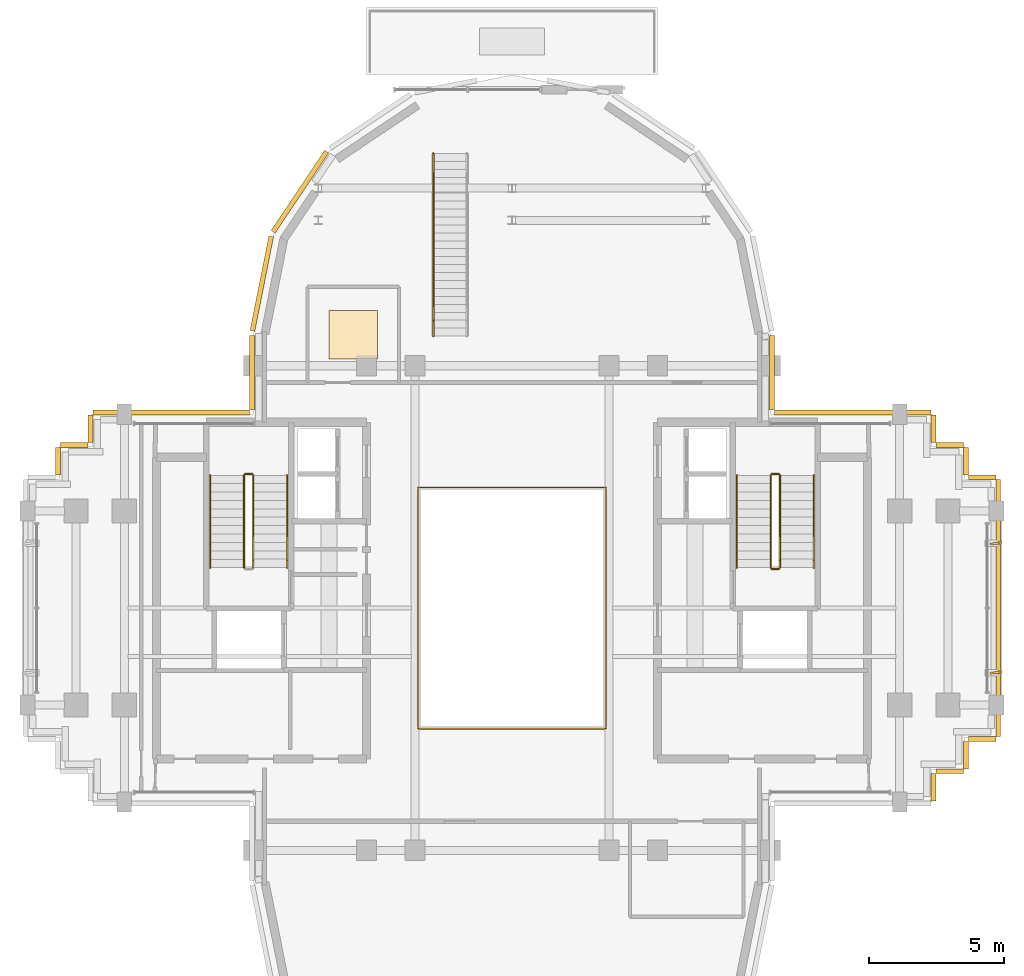
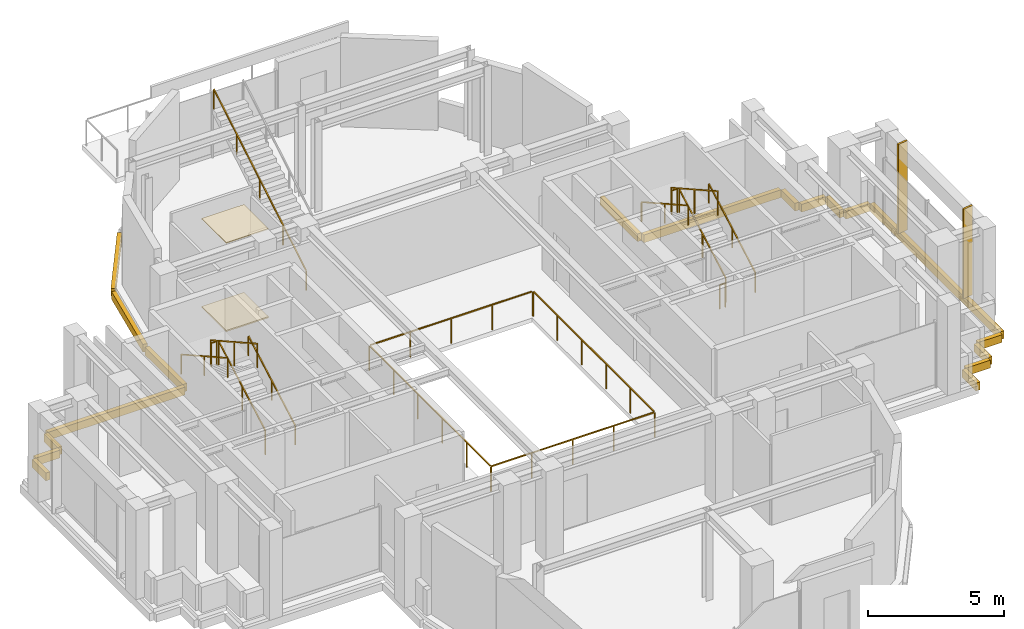
# One storey, part 12 of 14: 20 coverings, 13 railings, 2 shading devices.
"""IFC4 building model written with IfcOpenShell, lengths in metres."""

from ifc_helpers import new_model, si_unit, direction, frame, origin, origin_2d, place, context, subcontext, project, spatial, rectangle, extrude, source, transform, mapped, material, layer, layer_set, type_object, element, save


model = new_model("IFC4")

# Units and contexts
model_context = context("Model", 3, precision=1e-05, world=origin(), true_north=direction((0.0, 1.0)))
body_context = subcontext(model_context, "Body", "Model", "MODEL_VIEW")
ifc_project = project(units=[si_unit("LENGTHUNIT", "METRE"), si_unit("AREAUNIT", "SQUARE_METRE"), si_unit("VOLUMEUNIT", "CUBIC_METRE"), si_unit("PLANEANGLEUNIT", "RADIAN"), si_unit("MASSUNIT", "GRAM", prefix="KILO")], contexts=[model_context])

# Site, building, storey
site_placement = place(None, origin())
site = spatial("IfcSite", under=ifc_project, at=site_placement, CompositionType="ELEMENT")
building_placement = place(site_placement, origin())
building = spatial("IfcBuilding", under=site, at=building_placement, Name="Keilestroom Media Tower", CompositionType="ELEMENT")
storey_placement = place(building_placement, frame((0.0, 0.0, 219.39990234375)))
storey = spatial("IfcBuildingStorey", under=building, at=storey_placement, Name="L60", CompositionType="ELEMENT", Elevation=219.39990234375)

# Railings
ifc_material_1 = material(Name="Laminated Safety Glass & Bronze Steel", Category="steel")
railing_type_1 = type_object("IfcRailingType", Name="Atrium-Void-Guard-Balustrade-1150", PredefinedType="BALUSTRADE", material=ifc_material_1)
railing_1_placement = place(storey_placement, frame((-3.47998046875, -4.47998046875, 0.0)))
element("IfcRailing", 1, at=railing_1_placement, inside=storey, type_object=railing_type_1, Name="L60 Central Atrium Void Balustrade", PredefinedType="BALUSTRADE", context=body_context, shape_type="SweptSolid", body=[
    extrude(rectangle(XDim=0.048095703125, YDim=0.048095703125, at=origin_2d()), frame((0.0, 0.0, 1.1259765625), z_axis=(1.0, 0.0, 0.0), x_axis=(0.0, 1.0, 0.0)), (0.0, 0.0, 1.0), 6.911865234375),
    extrude(rectangle(XDim=0.048095703125, YDim=0.048095703125, at=origin_2d()), frame((6.9599609375, 0.048095703125, 1.1259765625), z_axis=(0.0, 1.0, 0.0), x_axis=(-1.0, 0.0, 0.0)), (0.0, 0.0, 1.0), 8.86376953125),
    extrude(rectangle(XDim=0.048095703125, YDim=0.048095703125, at=origin_2d()), frame((6.911865234375, 8.9599609375, 1.1259765625), z_axis=(-1.0, 0.0, 0.0), x_axis=(0.0, -1.0, 0.0)), (0.0, 0.0, 1.0), 6.86376953125),
    extrude(rectangle(XDim=0.048095703125, YDim=0.048095703125, at=origin_2d()), frame((0.0, 8.911865234375, 1.1259765625), z_axis=(0.0, -1.0, 0.0), x_axis=(1.0, 0.0, 0.0)), (0.0, 0.0, 1.0), 8.86376953125),
    extrude(rectangle(XDim=0.0419921875, YDim=0.0419921875, at=origin_2d()), origin(), (0.0, 0.0, 1.0), 1.09375),
    extrude(rectangle(XDim=0.0419921875, YDim=0.0419921875, at=origin_2d()), frame((1.739990234375, 0.0, 0.0)), (0.0, 0.0, 1.0), 1.09375),
    extrude(rectangle(XDim=0.0419921875, YDim=0.0419921875, at=origin_2d()), frame((3.47998046875, 0.0, 0.0)), (0.0, 0.0, 1.0), 1.09375),
    extrude(rectangle(XDim=0.0419921875, YDim=0.0419921875, at=origin_2d()), frame((5.219970703125, 0.0, 0.0)), (0.0, 0.0, 1.0), 1.09375),
    extrude(rectangle(XDim=0.0419921875, YDim=0.0419921875, at=origin_2d()), frame((6.9599609375, 0.0, 0.0)), (0.0, 0.0, 1.0), 1.09375),
    extrude(rectangle(XDim=0.0419921875, YDim=0.0419921875, at=origin_2d()), frame((6.9599609375, 1.7919921875, 0.0)), (0.0, 0.0, 1.0), 1.09375),
    extrude(rectangle(XDim=0.0419921875, YDim=0.0419921875, at=origin_2d()), frame((6.9599609375, 3.583984375, 0.0)), (0.0, 0.0, 1.0), 1.09375),
    extrude(rectangle(XDim=0.0419921875, YDim=0.0419921875, at=origin_2d()), frame((6.9599609375, 5.3759765625, 0.0)), (0.0, 0.0, 1.0), 1.09375),
    extrude(rectangle(XDim=0.0419921875, YDim=0.0419921875, at=origin_2d()), frame((6.9599609375, 7.16796875, 0.0)), (0.0, 0.0, 1.0), 1.09375),
    extrude(rectangle(XDim=0.0419921875, YDim=0.0419921875, at=origin_2d()), frame((6.9599609375, 8.9599609375, 0.0)), (0.0, 0.0, 1.0), 1.09375),
    extrude(rectangle(XDim=0.0419921875, YDim=0.0419921875, at=origin_2d()), frame((5.219970703125, 8.9599609375, 0.0)), (0.0, 0.0, 1.0), 1.09375),
    extrude(rectangle(XDim=0.0419921875, YDim=0.0419921875, at=origin_2d()), frame((3.47998046875, 8.9599609375, 0.0)), (0.0, 0.0, 1.0), 1.09375),
    extrude(rectangle(XDim=0.0419921875, YDim=0.0419921875, at=origin_2d()), frame((1.739990234375, 8.9599609375, 0.0)), (0.0, 0.0, 1.0), 1.09375),
    extrude(rectangle(XDim=0.0419921875, YDim=0.0419921875, at=origin_2d()), frame((0.0, 8.9599609375, 0.0)), (0.0, 0.0, 1.0), 1.09375),
    extrude(rectangle(XDim=0.0419921875, YDim=0.0419921875, at=origin_2d()), frame((0.0, 7.16796875, 0.0)), (0.0, 0.0, 1.0), 1.09375),
    extrude(rectangle(XDim=0.0419921875, YDim=0.0419921875, at=origin_2d()), frame((0.0, 5.3759765625, 0.0)), (0.0, 0.0, 1.0), 1.09375),
    extrude(rectangle(XDim=0.0419921875, YDim=0.0419921875, at=origin_2d()), frame((0.0, 3.583984375, 0.0)), (0.0, 0.0, 1.0), 1.09375),
    extrude(rectangle(XDim=0.0419921875, YDim=0.0419921875, at=origin_2d()), frame((0.0, 1.7919921875, 0.0)), (0.0, 0.0, 1.0), 1.09375),
])
ifc_material_2 = material(Name="Brushed Stainless Steel 1.4301", Category="steel")
railing_type_2 = type_object("IfcRailingType", Name="Stair-Pitch-Handrail-920", PredefinedType="HANDRAIL", material=ifc_material_2)
railing_2_placement = place(storey_placement, frame((-8.35009765625, 1.5, 0.175048828125)))
element("IfcRailing", 2, at=railing_2_placement, inside=storey, type_object=railing_type_2, Name="L60 ST-1 stair handrail 1", PredefinedType="HANDRAIL", context=body_context, shape_type="SweptSolid", body=[
    extrude(rectangle(XDim=0.048095703125, YDim=0.048095703125, at=origin_2d()), frame((0.0, 0.0, 0.8759765625), z_axis=(0.0, 0.872159829118, 0.489221046638), x_axis=(-1.0, 0.0, 0.0)), (0.0, 0.0, 1.0), 3.934814453125),
    extrude(rectangle(XDim=0.0419921875, YDim=0.0419921875, at=origin_2d()), origin(), (0.0, 0.0, 1.0), 0.84375),
    extrude(rectangle(XDim=0.0419921875, YDim=0.0419921875, at=origin_2d()), frame((0.0, 1.7158203125, 0.96240234375)), (0.0, 0.0, 1.0), 0.84375),
    extrude(rectangle(XDim=0.0419921875, YDim=0.0419921875, at=origin_2d()), frame((0.0, 3.431884765625, 1.925048828125)), (0.0, 0.0, 1.0), 0.84375),
])
railing_3_placement = place(storey_placement, frame((-11.2099609375, 4.931884765625, 2.275146484375)))
element("IfcRailing", 3, at=railing_3_placement, inside=storey, type_object=railing_type_2, Name="L60 ST-1 stair handrail 2", PredefinedType="HANDRAIL", context=body_context, shape_type="SweptSolid", body=[
    extrude(rectangle(XDim=0.048095703125, YDim=0.048095703125, at=origin_2d()), frame((0.0, 0.0, 0.8759765625), z_axis=(0.0, -0.872159829118, 0.489221046638), x_axis=(1.0, 0.0, 0.0)), (0.0, 0.0, 1.0), 3.934814453125),
    extrude(rectangle(XDim=0.0419921875, YDim=0.0419921875, at=origin_2d()), origin(), (0.0, 0.0, 1.0), 0.84375),
    extrude(rectangle(XDim=0.0419921875, YDim=0.0419921875, at=origin_2d()), frame((0.0, -1.7158203125, 0.96240234375)), (0.0, 0.0, 1.0), 0.84375),
    extrude(rectangle(XDim=0.0419921875, YDim=0.0419921875, at=origin_2d()), frame((0.0, -3.431884765625, 1.925048828125)), (0.0, 0.0, 1.0), 0.84375),
])
railing_4_placement = place(storey_placement, frame((11.2099609375, 1.5, 0.175048828125)))
element("IfcRailing", 4, at=railing_4_placement, inside=storey, type_object=railing_type_2, Name="L60 ST-2 stair handrail 1", PredefinedType="HANDRAIL", context=body_context, shape_type="SweptSolid", body=[
    extrude(rectangle(XDim=0.048095703125, YDim=0.048095703125, at=origin_2d()), frame((0.0, 0.0, 0.8759765625), z_axis=(0.0, 0.872159829118, 0.489221046638), x_axis=(-1.0, 0.0, 0.0)), (0.0, 0.0, 1.0), 3.934814453125),
    extrude(rectangle(XDim=0.0419921875, YDim=0.0419921875, at=origin_2d()), origin(), (0.0, 0.0, 1.0), 0.84375),
    extrude(rectangle(XDim=0.0419921875, YDim=0.0419921875, at=origin_2d()), frame((0.0, 1.7158203125, 0.96240234375)), (0.0, 0.0, 1.0), 0.84375),
    extrude(rectangle(XDim=0.0419921875, YDim=0.0419921875, at=origin_2d()), frame((0.0, 3.431884765625, 1.925048828125)), (0.0, 0.0, 1.0), 0.84375),
])
railing_5_placement = place(storey_placement, frame((8.35009765625, 4.931884765625, 2.275146484375)))
element("IfcRailing", 5, at=railing_5_placement, inside=storey, type_object=railing_type_2, Name="L60 ST-2 stair handrail 2", PredefinedType="HANDRAIL", context=body_context, shape_type="SweptSolid", body=[
    extrude(rectangle(XDim=0.048095703125, YDim=0.048095703125, at=origin_2d()), frame((0.0, 0.0, 0.8759765625), z_axis=(0.0, -0.872159829118, 0.489221046638), x_axis=(1.0, 0.0, 0.0)), (0.0, 0.0, 1.0), 3.934814453125),
    extrude(rectangle(XDim=0.0419921875, YDim=0.0419921875, at=origin_2d()), origin(), (0.0, 0.0, 1.0), 0.84375),
    extrude(rectangle(XDim=0.0419921875, YDim=0.0419921875, at=origin_2d()), frame((0.0, -1.7158203125, 0.96240234375)), (0.0, 0.0, 1.0), 0.84375),
    extrude(rectangle(XDim=0.0419921875, YDim=0.0419921875, at=origin_2d()), frame((0.0, -3.431884765625, 1.925048828125)), (0.0, 0.0, 1.0), 0.84375),
])
railing_6_placement = place(storey_placement, frame((-2.919921875, 10.10009765625, 0.0)))
element("IfcRailing", 6, at=railing_6_placement, inside=storey, type_object=railing_type_2, Name="ST-F1 Handrail L", PredefinedType="HANDRAIL", context=body_context, shape_type="SweptSolid", body=[
    extrude(rectangle(XDim=0.048095703125, YDim=0.048095703125, at=origin_2d()), frame((0.0, 0.0, 0.89599609375), z_axis=(0.0, 0.860043605927, 0.510220536537), x_axis=(-1.0, 0.0, 0.0)), (0.0, 0.0, 1.0), 7.888916015625),
    extrude(rectangle(XDim=0.0419921875, YDim=0.0419921875, at=origin_2d()), origin(), (0.0, 0.0, 1.0), 0.86376953125),
    extrude(rectangle(XDim=0.0419921875, YDim=0.0419921875, at=origin_2d()), frame((0.0, 1.6962890625, 1.00634765625)), (0.0, 0.0, 1.0), 0.86376953125),
    extrude(rectangle(XDim=0.0419921875, YDim=0.0419921875, at=origin_2d()), frame((0.0, 3.392578125, 2.0126953125)), (0.0, 0.0, 1.0), 0.86376953125),
    extrude(rectangle(XDim=0.0419921875, YDim=0.0419921875, at=origin_2d()), frame((0.0, 5.088623046875, 3.018798828125)), (0.0, 0.0, 1.0), 0.86376953125),
    extrude(rectangle(XDim=0.0419921875, YDim=0.0419921875, at=origin_2d()), frame((0.0, 6.784912109375, 4.025146484375)), (0.0, 0.0, 1.0), 0.86376953125),
])
ifc_material_3 = material(Name="Painted Steel Balustrade", Category="steel")
railing_type_3 = type_object("IfcRailingType", Name="Stair-Well-And-Landing-Guard-1100", PredefinedType="GUARDRAIL", material=ifc_material_3)
railing_7_placement = place(storey_placement, frame((-9.610107421875, 1.5, 0.175048828125)))
element("IfcRailing", 7, at=railing_7_placement, inside=storey, type_object=railing_type_3, Name="L60 ST-1 stair guard 1", PredefinedType="GUARDRAIL", context=body_context, shape_type="SweptSolid", body=[
    extrude(rectangle(XDim=0.048095703125, YDim=0.048095703125, at=origin_2d()), frame((0.0, 0.0, 1.076171875), z_axis=(0.0, 0.872159829118, 0.489221046638), x_axis=(-1.0, 0.0, 0.0)), (0.0, 0.0, 1.0), 3.934814453125),
    extrude(rectangle(XDim=0.0419921875, YDim=0.0419921875, at=origin_2d()), origin(), (0.0, 0.0, 1.0), 1.0439453125),
    extrude(rectangle(XDim=0.0419921875, YDim=0.0419921875, at=origin_2d()), frame((0.0, 1.7158203125, 0.96240234375)), (0.0, 0.0, 1.0), 1.0439453125),
    extrude(rectangle(XDim=0.0419921875, YDim=0.0419921875, at=origin_2d()), frame((0.0, 3.431884765625, 1.925048828125)), (0.0, 0.0, 1.0), 1.0439453125),
])
railing_8_placement = place(storey_placement, frame((-9.659912109375, 4.98193359375, 2.10009765625)))
element("IfcRailing", 8, at=railing_8_placement, inside=storey, type_object=railing_type_3, Name="L60 ST-1 stair guard 2", PredefinedType="GUARDRAIL", context=body_context, shape_type="SweptSolid", body=[
    extrude(rectangle(XDim=0.048095703125, YDim=0.048095703125, at=origin_2d()), frame((0.0, 0.0, 1.076171875), z_axis=(-1.0, 0.0, 0.0), x_axis=(0.0, -1.0, 0.0)), (0.0, 0.0, 1.0), 0.239990234375),
    extrude(rectangle(XDim=0.0419921875, YDim=0.0419921875, at=origin_2d()), origin(), (0.0, 0.0, 1.0), 1.0439453125),
    extrude(rectangle(XDim=0.0419921875, YDim=0.0419921875, at=origin_2d()), frame((-0.239990234375, 0.0, 0.0)), (0.0, 0.0, 1.0), 1.0439453125),
])
railing_9_placement = place(storey_placement, frame((-9.949951171875, 4.931884765625, 2.275146484375)))
element("IfcRailing", 9, at=railing_9_placement, inside=storey, type_object=railing_type_3, Name="L60 ST-1 stair guard 3", PredefinedType="GUARDRAIL", context=body_context, shape_type="SweptSolid", body=[
    extrude(rectangle(XDim=0.048095703125, YDim=0.048095703125, at=origin_2d()), frame((0.0, 0.0, 1.076171875), z_axis=(0.0, -0.872159829118, 0.489221046638), x_axis=(1.0, 0.0, 0.0)), (0.0, 0.0, 1.0), 3.934814453125),
    extrude(rectangle(XDim=0.0419921875, YDim=0.0419921875, at=origin_2d()), origin(), (0.0, 0.0, 1.0), 1.0439453125),
    extrude(rectangle(XDim=0.0419921875, YDim=0.0419921875, at=origin_2d()), frame((0.0, -1.7158203125, 0.96240234375)), (0.0, 0.0, 1.0), 1.0439453125),
    extrude(rectangle(XDim=0.0419921875, YDim=0.0419921875, at=origin_2d()), frame((0.0, -3.431884765625, 1.925048828125)), (0.0, 0.0, 1.0), 1.0439453125),
])
railing_10_placement = place(storey_placement, frame((9.949951171875, 1.5, 0.175048828125)))
element("IfcRailing", 10, at=railing_10_placement, inside=storey, type_object=railing_type_3, Name="L60 ST-2 stair guard 1", PredefinedType="GUARDRAIL", context=body_context, shape_type="SweptSolid", body=[
    extrude(rectangle(XDim=0.048095703125, YDim=0.048095703125, at=origin_2d()), frame((0.0, 0.0, 1.076171875), z_axis=(0.0, 0.872159829118, 0.489221046638), x_axis=(-1.0, 0.0, 0.0)), (0.0, 0.0, 1.0), 3.934814453125),
    extrude(rectangle(XDim=0.0419921875, YDim=0.0419921875, at=origin_2d()), origin(), (0.0, 0.0, 1.0), 1.0439453125),
    extrude(rectangle(XDim=0.0419921875, YDim=0.0419921875, at=origin_2d()), frame((0.0, 1.7158203125, 0.96240234375)), (0.0, 0.0, 1.0), 1.0439453125),
    extrude(rectangle(XDim=0.0419921875, YDim=0.0419921875, at=origin_2d()), frame((0.0, 3.431884765625, 1.925048828125)), (0.0, 0.0, 1.0), 1.0439453125),
])
railing_11_placement = place(storey_placement, frame((9.89990234375, 4.98193359375, 2.10009765625)))
element("IfcRailing", 11, at=railing_11_placement, inside=storey, type_object=railing_type_3, Name="L60 ST-2 stair guard 2", PredefinedType="GUARDRAIL", context=body_context, shape_type="SweptSolid", body=[
    extrude(rectangle(XDim=0.048095703125, YDim=0.048095703125, at=origin_2d()), frame((0.0, 0.0, 1.076171875), z_axis=(-1.0, 0.0, 0.0), x_axis=(0.0, -1.0, 0.0)), (0.0, 0.0, 1.0), 0.239990234375),
    extrude(rectangle(XDim=0.0419921875, YDim=0.0419921875, at=origin_2d()), origin(), (0.0, 0.0, 1.0), 1.0439453125),
    extrude(rectangle(XDim=0.0419921875, YDim=0.0419921875, at=origin_2d()), frame((-0.239990234375, 0.0, 0.0)), (0.0, 0.0, 1.0), 1.0439453125),
])
railing_12_placement = place(storey_placement, frame((9.610107421875, 4.931884765625, 2.275146484375)))
element("IfcRailing", 12, at=railing_12_placement, inside=storey, type_object=railing_type_3, Name="L60 ST-2 stair guard 3", PredefinedType="GUARDRAIL", context=body_context, shape_type="SweptSolid", body=[
    extrude(rectangle(XDim=0.048095703125, YDim=0.048095703125, at=origin_2d()), frame((0.0, 0.0, 1.076171875), z_axis=(0.0, -0.872159829118, 0.489221046638), x_axis=(1.0, 0.0, 0.0)), (0.0, 0.0, 1.0), 3.934814453125),
    extrude(rectangle(XDim=0.0419921875, YDim=0.0419921875, at=origin_2d()), origin(), (0.0, 0.0, 1.0), 1.0439453125),
    extrude(rectangle(XDim=0.0419921875, YDim=0.0419921875, at=origin_2d()), frame((0.0, -1.7158203125, 0.96240234375)), (0.0, 0.0, 1.0), 1.0439453125),
    extrude(rectangle(XDim=0.0419921875, YDim=0.0419921875, at=origin_2d()), frame((0.0, -3.431884765625, 1.925048828125)), (0.0, 0.0, 1.0), 1.0439453125),
])
railing_13_placement = place(storey_placement, frame((9.89990234375, 1.449951171875, 0.0)))
element("IfcRailing", 13, at=railing_13_placement, inside=storey, type_object=railing_type_3, Name="L60 ST-2 stair guard 4", PredefinedType="GUARDRAIL", context=body_context, shape_type="SweptSolid", body=[
    extrude(rectangle(XDim=0.048095703125, YDim=0.048095703125, at=origin_2d()), frame((0.0, 0.0, 1.076171875), z_axis=(-1.0, 0.0, 0.0), x_axis=(0.0, -1.0, 0.0)), (0.0, 0.0, 1.0), 0.239990234375),
    extrude(rectangle(XDim=0.0419921875, YDim=0.0419921875, at=origin_2d()), origin(), (0.0, 0.0, 1.0), 1.0439453125),
    extrude(rectangle(XDim=0.0419921875, YDim=0.0419921875, at=origin_2d()), frame((-0.239990234375, 0.0, 0.0)), (0.0, 0.0, 1.0), 1.0439453125),
])

# Shading devices
ifc_material_4 = material(Name="Bronze Anodised Aluminium", Category="aluminium")
shading_device_type = type_object("IfcShadingDeviceType", Name="Facade-Vertical-Sunshade-Fin-SHD-1", PredefinedType="USERDEFINED", material=ifc_material_4)
shared_shape_1 = source(origin(), body_context, "Body", "SweptSolid", [
    extrude(rectangle(XDim=0.419921875, YDim=0.080078125, at=origin_2d()), origin(), (0.0, 0.0, 1.0), 4.010009765625),
])
for number, where, z_axis, x_axis, name in (
    (14, (17.969970703125, -2.39990234375, 0.0), (0.0, 0.0, 1.0), (0.989751322388, 0.142801680073, 0.0), "L60 Twisting Sunshade Fin SHD-1 091"),
    (15, (17.969970703125, 2.39990234375, 0.0), (0.0, 0.0, 1.0), (0.989751322388, 0.142801680073, 0.0), "L60 Twisting Sunshade Fin SHD-1 092"),
):
    element("IfcShadingDevice", number, at=place(storey_placement, frame(where, z_axis=z_axis, x_axis=x_axis)), inside=storey, type_object=shading_device_type, Name=name, ObjectType="SUNSHADE", PredefinedType="USERDEFINED", context=body_context, shape_type="MappedRepresentation", body=[
        mapped(shared_shape_1, transform((0.0, 0.0, 0.0), x_axis=(1.0, 0.0, 0.0), y_axis=(0.0, 1.0, 0.0), z_axis=(0.0, 0.0, 1.0), scale=1.0)),
    ])

# Coverings
ifc_material_5 = material(Name="Precast concrete C40/50", Category="concrete")
ifc_layer_1 = layer(ifc_material_5, 0.1201171875)
ifc_layer_set_1 = layer_set([ifc_layer_1], Name="Precast concrete C40/50")
covering_type_1 = type_object("IfcCoveringType", Name="Exterior-Precast-Spandrel-Cladding-Panel-120", PredefinedType="CLADDING", material=ifc_layer_set_1)
shared_shape_2 = source(origin(), body_context, "Body", "SweptSolid", [
    extrude(rectangle(XDim=1.02001953125, YDim=0.179931640625, at=origin_2d()), origin(), (0.0, 0.0, 1.0), 0.35009765625),
])
for number, where, z_axis, x_axis, name in (
    (16, (17.4599609375, -4.860107421875, -0.530029296875), (0.0, 0.0, 1.0), (-1.0, 0.0, 0.0), "L60 Precast Slab-Edge Fascia Cornice 01"),
    (17, (16.860107421875, -5.4599609375, -0.530029296875), (0.0, 0.0, 1.0), (0.0, -1.0, 0.0), "L60 Precast Slab-Edge Fascia Cornice 02"),
    (18, (16.260009765625, -6.06005859375, -0.530029296875), (0.0, 0.0, 1.0), (-1.0, 0.0, 0.0), "L60 Precast Slab-Edge Fascia Cornice 03"),
    (19, (15.659912109375, -6.659912109375, -0.530029296875), (0.0, 0.0, 1.0), (0.0, -1.0, 0.0), "L60 Precast Slab-Edge Fascia Cornice 04"),
    (20, (-16.860107421875, 5.4599609375, -0.530029296875), (0.0, 0.0, 1.0), (0.0, 1.0, 0.0), "L60 Precast Slab-Edge Fascia Cornice 23"),
    (21, (-16.260009765625, 6.06005859375, -0.530029296875), (0.0, 0.0, 1.0), (1.0, 0.0, 0.0), "L60 Precast Slab-Edge Fascia Cornice 24"),
    (22, (-15.659912109375, 6.659912109375, -0.530029296875), (0.0, 0.0, 1.0), (0.0, 1.0, 0.0), "L60 Precast Slab-Edge Fascia Cornice 25"),
    (23, (15.659912109375, 6.659912109375, -0.530029296875), (0.0, 0.0, 1.0), (0.0, -1.0, 0.0), "L60 Precast Slab-Edge Fascia Cornice 38"),
    (24, (16.260009765625, 6.06005859375, -0.530029296875), (0.0, 0.0, 1.0), (1.0, 0.0, 0.0), "L60 Precast Slab-Edge Fascia Cornice 39"),
    (25, (16.860107421875, 5.4599609375, -0.530029296875), (0.0, 0.0, 1.0), (0.0, -1.0, 0.0), "L60 Precast Slab-Edge Fascia Cornice 40"),
    (26, (17.4599609375, 4.860107421875, -0.530029296875), (0.0, 0.0, 1.0), (1.0, 0.0, 0.0), "L60 Precast Slab-Edge Fascia Cornice 41"),
):
    element("IfcCovering", number, at=place(storey_placement, frame(where, z_axis=z_axis, x_axis=x_axis)), inside=storey, type_object=covering_type_1, Name=name, PredefinedType="CLADDING", context=body_context, shape_type="MappedRepresentation", body=[
        mapped(shared_shape_2, transform((0.0, 0.0, 0.0), x_axis=(1.0, 0.0, 0.0), y_axis=(0.0, 1.0, 0.0), z_axis=(0.0, 0.0, 1.0), scale=1.0)),
    ])
shared_shape_3 = source(origin(), body_context, "Body", "SweptSolid", [
    extrude(rectangle(XDim=5.820068359375, YDim=0.179931640625, at=origin_2d()), origin(), (0.0, 0.0, 1.0), 0.35009765625),
])
for number, where, z_axis, x_axis, name in (
    (27, (-12.659912109375, 7.260009765625, -0.530029296875), (0.0, 0.0, 1.0), (1.0, 0.0, 0.0), "L60 Precast Slab-Edge Fascia Cornice 26"),
    (28, (12.659912109375, 7.260009765625, -0.530029296875), (0.0, 0.0, 1.0), (1.0, 0.0, 0.0), "L60 Precast Slab-Edge Fascia Cornice 37"),
):
    element("IfcCovering", number, at=place(storey_placement, frame(where, z_axis=z_axis, x_axis=x_axis)), inside=storey, type_object=covering_type_1, Name=name, PredefinedType="CLADDING", context=body_context, shape_type="MappedRepresentation", body=[
        mapped(shared_shape_3, transform((0.0, 0.0, 0.0), x_axis=(1.0, 0.0, 0.0), y_axis=(0.0, 1.0, 0.0), z_axis=(0.0, 0.0, 1.0), scale=1.0)),
    ])
shared_shape_4 = source(origin(), body_context, "Body", "SweptSolid", [
    extrude(rectangle(XDim=2.765869140625, YDim=0.179931640625, at=origin_2d()), origin(), (0.0, 0.0, 1.0), 0.35009765625),
])
for number, where, z_axis, x_axis, name in (
    (29, (-9.659912109375, 8.73291015625, -0.530029296875), (0.0, 0.0, 1.0), (0.0, 1.0, 0.0), "L60 Precast Slab-Edge Fascia Cornice 27"),
    (30, (9.659912109375, 8.73291015625, -0.530029296875), (0.0, 0.0, 1.0), (0.0, -1.0, 0.0), "L60 Precast Slab-Edge Fascia Cornice 36"),
):
    element("IfcCovering", number, at=place(storey_placement, frame(where, z_axis=z_axis, x_axis=x_axis)), inside=storey, type_object=covering_type_1, Name=name, PredefinedType="CLADDING", context=body_context, shape_type="MappedRepresentation", body=[
        mapped(shared_shape_4, transform((0.0, 0.0, 0.0), x_axis=(1.0, 0.0, 0.0), y_axis=(0.0, 1.0, 0.0), z_axis=(0.0, 0.0, 1.0), scale=1.0)),
    ])
shared_shape_5 = source(origin(), body_context, "Body", "SweptSolid", [
    extrude(rectangle(XDim=3.58349609375, YDim=0.179931640625, at=origin_2d()), origin(), (0.0, 0.0, 1.0), 0.35009765625),
])
covering_1_placement = place(storey_placement, frame((-9.29296875, 12.051513671875, -0.530029296875), z_axis=(0.0, 0.0, 1.0), x_axis=(0.195098880975, 0.980783577882, 0.0)))
element("IfcCovering", 31, at=covering_1_placement, inside=storey, type_object=covering_type_1, Name="L60 Precast Slab-Edge Fascia Cornice 28", PredefinedType="CLADDING", context=body_context, shape_type="MappedRepresentation", body=[
    mapped(shared_shape_5, transform((0.0, 0.0, 0.0), x_axis=(1.0, 0.0, 0.0), y_axis=(0.0, 1.0, 0.0), z_axis=(0.0, 0.0, 1.0), scale=1.0)),
])
shared_shape_6 = source(origin(), body_context, "Body", "SweptSolid", [
    extrude(rectangle(XDim=3.589599609375, YDim=0.179931640625, at=origin_2d()), origin(), (0.0, 0.0, 1.0), 0.35009765625),
])
covering_2_placement = place(storey_placement, frame((-7.878662109375, 15.46435546875, -0.530029296875), z_axis=(0.0, 0.0, 1.0), x_axis=(0.555574586577, 0.831466703332, 0.0)))
element("IfcCovering", 32, at=covering_2_placement, inside=storey, type_object=covering_type_1, Name="L60 Precast Slab-Edge Fascia Cornice 29", PredefinedType="CLADDING", context=body_context, shape_type="MappedRepresentation", body=[
    mapped(shared_shape_6, transform((0.0, 0.0, 0.0), x_axis=(1.0, 0.0, 0.0), y_axis=(0.0, 1.0, 0.0), z_axis=(0.0, 0.0, 1.0), scale=1.0)),
])
shared_shape_7 = source(origin(), body_context, "Body", "SweptSolid", [
    extrude(rectangle(XDim=9.5400390625, YDim=0.179931640625, at=origin_2d()), origin(), (0.0, 0.0, 1.0), 0.35009765625),
])
covering_3_placement = place(storey_placement, frame((18.06005859375, 0.0, -0.530029296875), z_axis=(0.0, 0.0, 1.0), x_axis=(0.0, -1.0, 0.0)))
element("IfcCovering", 33, at=covering_3_placement, inside=storey, type_object=covering_type_1, Name="L60 Precast Slab-Edge Fascia Cornice 42", PredefinedType="CLADDING", context=body_context, shape_type="MappedRepresentation", body=[
    mapped(shared_shape_7, transform((0.0, 0.0, 0.0), x_axis=(1.0, 0.0, 0.0), y_axis=(0.0, 1.0, 0.0), z_axis=(0.0, 0.0, 1.0), scale=1.0)),
])
ifc_material_6 = material(Name="Mineral-Fibre Acoustic Ceiling Tile", Category="gypsum")
ifc_layer_2 = layer(ifc_material_6, 0.0400390625)
ifc_layer_set_2 = layer_set([ifc_layer_2], Name="Mineral-Fibre Acoustic Ceiling Tile")
covering_type_2 = type_object("IfcCoveringType", Name="Suspended-Acoustic-Ceiling-40", PredefinedType="CEILING", material=ifc_layer_set_2)
shared_shape_8 = source(origin(), body_context, "Body", "SweptSolid", [
    extrude(rectangle(XDim=1.800048828125, YDim=1.800048828125, at=origin_2d()), origin(), (0.0, 0.0, 1.0), 0.0400390625),
])
covering_4_placement = place(storey_placement, frame((-5.89990234375, 10.155029296875, 3.969970703125), z_axis=(0.0, 0.0, 1.0), x_axis=(1.0, 0.0, 0.0)))
element("IfcCovering", 34, at=covering_4_placement, inside=storey, type_object=covering_type_2, Name="L60 Suspended Acoustic Ceiling 1", PredefinedType="CEILING", context=body_context, shape_type="MappedRepresentation", body=[
    mapped(shared_shape_8, transform((0.0, 0.0, 0.0), x_axis=(1.0, 0.0, 0.0), y_axis=(0.0, 1.0, 0.0), z_axis=(0.0, 0.0, 1.0), scale=1.0)),
])
ifc_material_7 = material(Name="Calcium-Sulphate Raised Access Floor", Category="concrete")
ifc_layer_3 = layer(ifc_material_7, 0.06005859375)
ifc_layer_set_3 = layer_set([ifc_layer_3], Name="Calcium-Sulphate Raised Access Floor")
covering_type_3 = type_object("IfcCoveringType", Name="Raised-Access-And-Acoustic-Flooring-60", PredefinedType="FLOORING", material=ifc_layer_set_3)
shared_shape_9 = source(origin(), body_context, "Body", "SweptSolid", [
    extrude(rectangle(XDim=1.800048828125, YDim=1.800048828125, at=origin_2d()), origin(), (0.0, 0.0, 1.0), 0.06005859375),
])
covering_5_placement = place(storey_placement, frame((-5.89990234375, 10.155029296875, 0.0), z_axis=(0.0, 0.0, 1.0), x_axis=(1.0, 0.0, 0.0)))
element("IfcCovering", 35, at=covering_5_placement, inside=storey, type_object=covering_type_3, Name="L60 Raised Access Flooring 1", PredefinedType="FLOORING", context=body_context, shape_type="MappedRepresentation", body=[
    mapped(shared_shape_9, transform((0.0, 0.0, 0.0), x_axis=(1.0, 0.0, 0.0), y_axis=(0.0, 1.0, 0.0), z_axis=(0.0, 0.0, 1.0), scale=1.0)),
])

save(model, "model.ifc")
